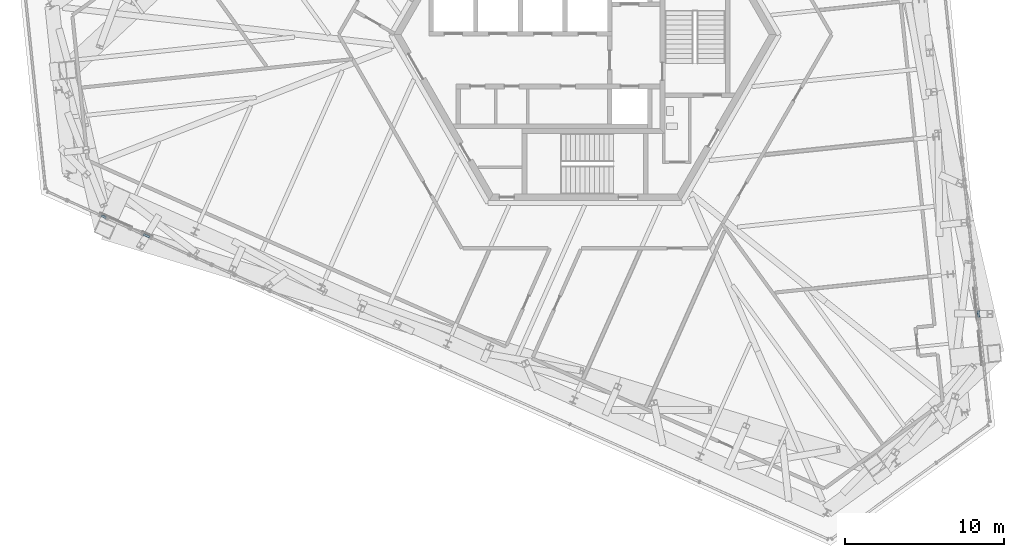
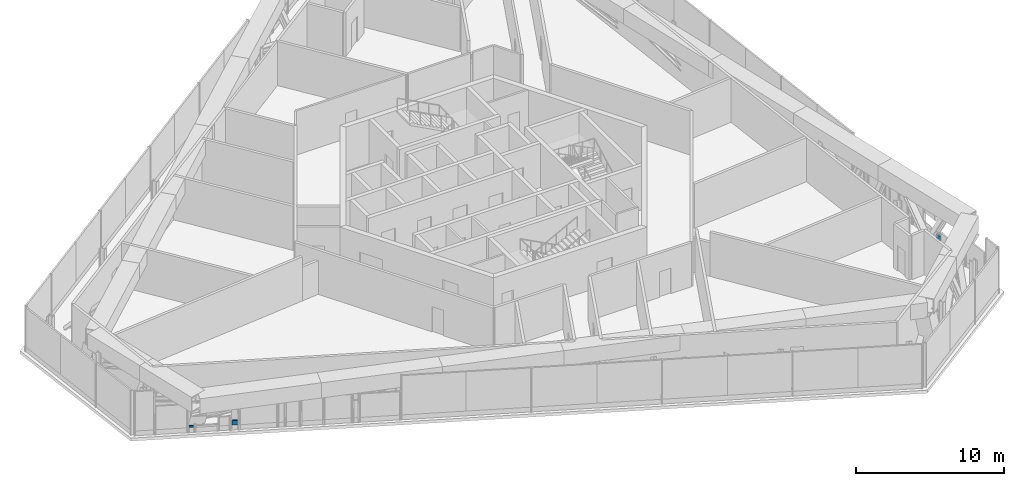
# One storey, part 16 of 30: 3 plates, 3 elements without a shape of their own.
"""IFC4 building model written with IfcOpenShell, lengths in metres."""

from ifc_helpers import new_model, si_unit, direction, frame, origin, origin_2d, place, context, subcontext, project, spatial, rectangle, extrude, source, transform, mapped, material, layer, layer_set, type_object, element, aggregate, save


model = new_model("IFC4")

# Units and contexts
model_context = context("Model", 3, precision=1e-05, world=origin(), true_north=direction((0.0, 1.0)))
body_context = subcontext(model_context, "Body", "Model", "MODEL_VIEW")
ifc_project = project(units=[si_unit("LENGTHUNIT", "METRE"), si_unit("AREAUNIT", "SQUARE_METRE"), si_unit("VOLUMEUNIT", "CUBIC_METRE"), si_unit("PLANEANGLEUNIT", "RADIAN"), si_unit("MASSUNIT", "GRAM", prefix="KILO")], contexts=[model_context])

# Site, building, storey
site_placement = place(None, origin())
site = spatial("IfcSite", under=ifc_project, at=site_placement, CompositionType="ELEMENT")
building_placement = place(site_placement, origin())
building = spatial("IfcBuilding", under=site, at=building_placement, Name="Triune Harvest Tower", CompositionType="ELEMENT")
storey_placement = place(building_placement, frame((0.0, 0.0, 94.5)))
storey = spatial("IfcBuildingStorey", under=building, at=storey_placement, Name="L23", CompositionType="ELEMENT", Elevation=94.5)

# Curtain wall, plate
ifc_material_1 = material(Name="Aluminium bronze anodised", Category="aluminium")
curtain_wall_type = type_object("IfcCurtainWallType", Name="CW-5 Plant louvre wall", PredefinedType="NOTDEFINED", material=ifc_material_1)
curtain_wall_1_placement = place(storey_placement, origin())
curtain_wall_1 = element("IfcCurtainWall", 1, at=curtain_wall_1_placement, inside=storey, type_object=curtain_wall_type, Name="CW-5 B2-F1 L23 run 401")
ifc_material_2 = material(Name="Aluminium bronze anodised", Category="aluminium")
ifc_layer = layer(ifc_material_2, 0.1201171875)
ifc_layer_set = layer_set([ifc_layer], Name="Aluminium bronze anodised")
plate_type = type_object("IfcPlateType", Name="GL-5 panel 120", PredefinedType="CURTAIN_PANEL", material=ifc_layer_set)
plate_1_placement = place(storey_placement, frame((24.662353515625, -17.503173828125, 0.39990234375), z_axis=(0.0, 0.0, 1.0), x_axis=(-0.104375864775, 0.99453792228, 0.0)))
plate_1 = element("IfcPlate", 2, at=plate_1_placement, type_object=plate_type, Name="CW-5 panel B2-F1 401.1", PredefinedType="CURTAIN_PANEL", context=body_context, shape_type="SweptSolid", body=[
    extrude(rectangle(XDim=0.412841796875, YDim=0.1201171875, at=origin_2d()), origin(), (0.0, 0.0, 1.0), 0.36279296875),
])
aggregate(curtain_wall_1, [plate_1])

curtain_wall_2_placement = place(storey_placement, origin())
curtain_wall_2 = element("IfcCurtainWall", 3, at=curtain_wall_2_placement, inside=storey, type_object=curtain_wall_type, Name="CW-5 B2-F5 L23 run 201")
plate_2_placement = place(storey_placement, frame((-30.18212890625, -11.407958984375, 0.39990234375), z_axis=(0.0, 0.0, 1.0), x_axis=(0.913608360765, -0.406595330938, 0.0)))
plate_2 = element("IfcPlate", 4, at=plate_2_placement, type_object=plate_type, Name="CW-5 panel B2-F5 201.1", PredefinedType="CURTAIN_PANEL", context=body_context, shape_type="SweptSolid", body=[
    extrude(rectangle(XDim=0.30712890625, YDim=0.1201171875, at=origin_2d()), origin(), (0.0, 0.0, 1.0), 0.132080078125),
])
aggregate(curtain_wall_2, [plate_2])

curtain_wall_3_placement = place(storey_placement, origin())
curtain_wall_3 = element("IfcCurtainWall", 5, at=curtain_wall_3_placement, inside=storey, type_object=curtain_wall_type, Name="CW-5 B2-F5 L23 run 501")
shared_shape = source(origin(), body_context, "Body", "SweptSolid", [
    extrude(rectangle(XDim=0.412841796875, YDim=0.1201171875, at=origin_2d()), origin(), (0.0, 0.0, 1.0), 0.363037109375),
])
plate_3_placement = place(storey_placement, frame((-27.489501953125, -12.606689453125, 0.39990234375), z_axis=(0.0, 0.0, 1.0), x_axis=(0.913566660342, -0.406689017692, 0.0)))
plate_3 = element("IfcPlate", 6, at=plate_3_placement, type_object=plate_type, Name="CW-5 panel B2-F5 501.1", PredefinedType="CURTAIN_PANEL", context=body_context, shape_type="MappedRepresentation", body=[
    mapped(shared_shape, transform((0.0, 0.0, 0.0), scale=1.0)),
])
aggregate(curtain_wall_3, [plate_3])

save(model, "model.ifc")
